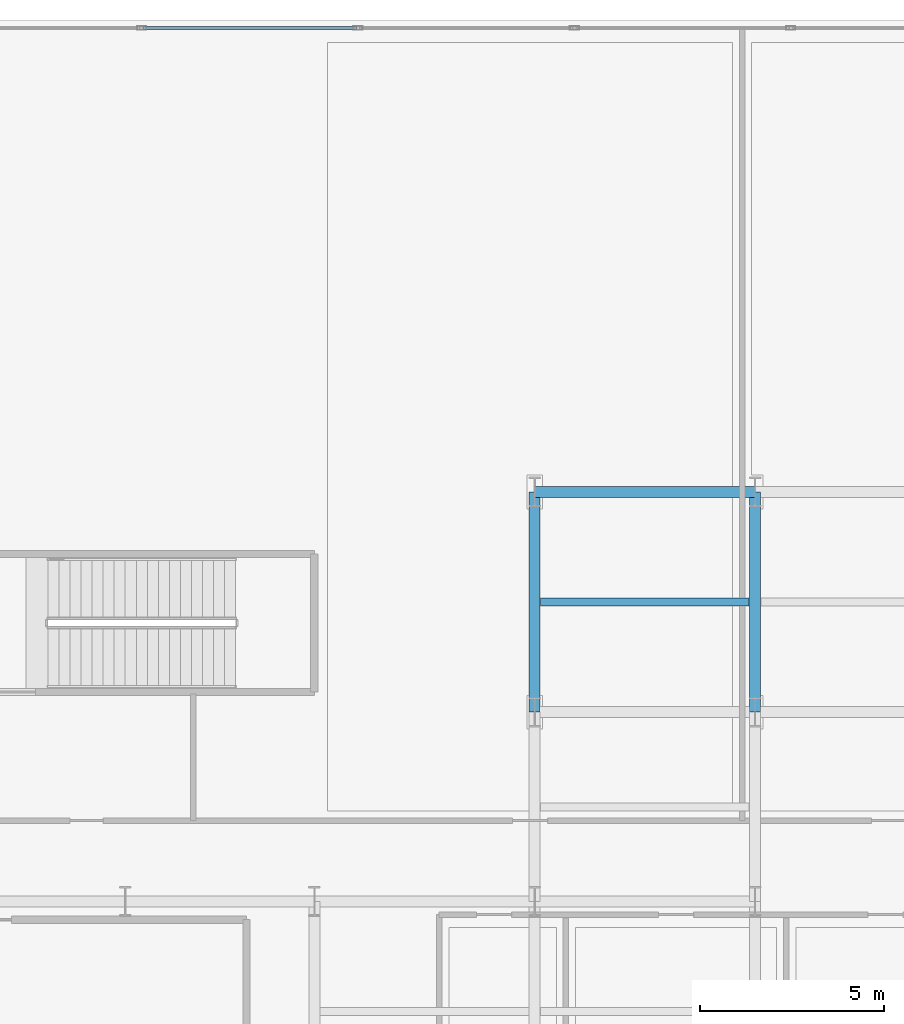
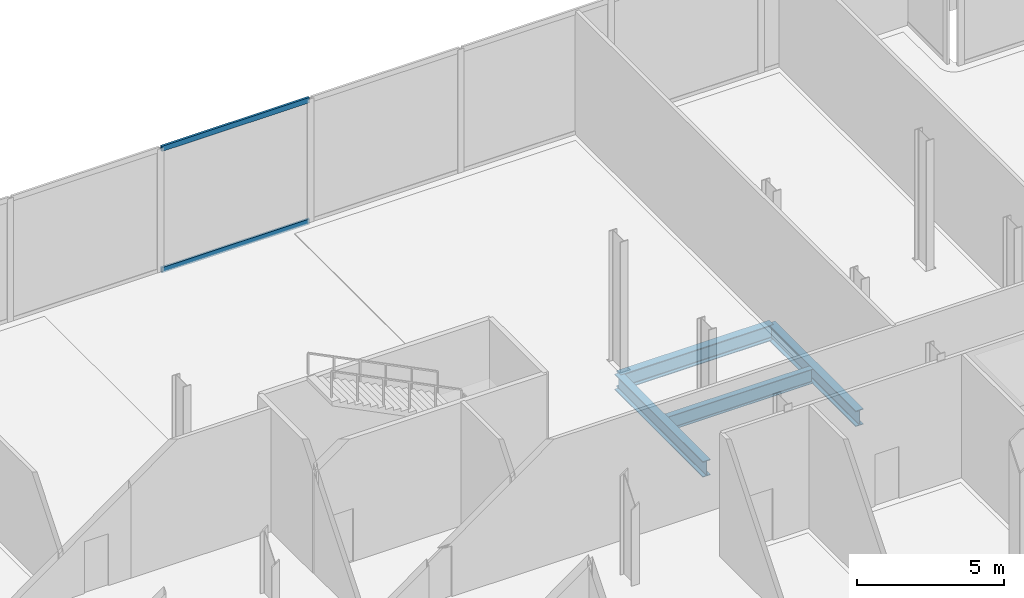
# One storey, part 16 of 27: 4 beams, 2 members, 1 element without a shape of its own.
"""IFC4 building model written with IfcOpenShell, lengths in metres."""

from ifc_helpers import new_model, si_unit, direction, frame, origin, origin_2d, place, context, subcontext, project, spatial, hollow_rectangle, i_section, extrude, material, layer, layer_set, material_profile, profile_set, type_object, element, aggregate, save


model = new_model("IFC4")

# Units and contexts
model_context = context("Model", 3, precision=1e-05, world=origin(), true_north=direction((0.0, 1.0)))
body_context = subcontext(model_context, "Body", "Model", "MODEL_VIEW")
ifc_project = project(units=[si_unit("LENGTHUNIT", "METRE"), si_unit("AREAUNIT", "SQUARE_METRE"), si_unit("VOLUMEUNIT", "CUBIC_METRE"), si_unit("PLANEANGLEUNIT", "RADIAN"), si_unit("MASSUNIT", "GRAM", prefix="KILO"), si_unit("THERMODYNAMICTEMPERATUREUNIT", "KELVIN"), si_unit("POWERUNIT", "WATT")], contexts=[model_context])

# Site, building, storey
site_placement = place(None, origin())
site = spatial("IfcSite", under=ifc_project, at=site_placement, CompositionType="ELEMENT")
building_placement = place(site_placement, origin())
building = spatial("IfcBuilding", under=site, at=building_placement, Name="Svarakhadi Broadcast Tower", CompositionType="ELEMENT")
storey_placement = place(building_placement, frame((0.0, 0.0, 16.5)))
storey = spatial("IfcBuildingStorey", under=building, at=storey_placement, Name="L03", CompositionType="ELEMENT", Elevation=16.5)

# Beam
ifc_material_1 = material(Name="Steel S355J2 (IS 2062 E350C)", Category="steel")
ifc_material_profile_1 = material_profile(ifc_material_1, i_section(OverallWidth=0.219970703125, OverallDepth=0.60009765625, WebThickness=0.011962890625, FlangeThickness=0.01904296875, FilletRadius=0.02392578125, at=origin_2d()), Name="NPB 600x220x122")
ifc_profile_set_1 = profile_set([ifc_material_profile_1], Name="Steel S355J2 (IS 2062 E350C)")
beam_type_1 = type_object("IfcBeamType", Name="Beam_NPB600", PredefinedType="BEAM", material=ifc_profile_set_1)
beam_placement = place(storey_placement, frame((41.31005859375, 32.14990234375, -0.60009765625), z_axis=(1.0, 0.0, 0.0), x_axis=(0.0, 1.0, 0.0)))
element("IfcBeam", 1, at=beam_placement, inside=storey, type_object=beam_type_1, Name="L03 Secondary Composite Beam SB026", PredefinedType="BEAM", context=body_context, shape_type="SweptSolid", body=[
    extrude(i_section(OverallWidth=0.219970703125, OverallDepth=0.60009765625, WebThickness=0.011962890625, FlangeThickness=0.01904296875, FilletRadius=0.02392578125, at=origin_2d()), origin(), (0.0, 0.0, 1.0), 5.679931640625),
])

# Curtain wall, members
ifc_material_2 = material(Name="Anodised Bronze Aluminium AA 6063-T6", Category="aluminium")
ifc_layer = layer(ifc_material_2, 0.25)
ifc_layer_set = layer_set([ifc_layer], Name="Anodised Bronze Aluminium AA 6063-T6")
curtain_wall_type = type_object("IfcCurtainWallType", Name="CW_Sys_01", PredefinedType="NOTDEFINED", material=ifc_layer_set)
curtain_wall_placement = place(storey_placement, origin())
curtain_wall = element("IfcCurtainWall", 2, at=curtain_wall_placement, inside=storey, type_object=curtain_wall_type, Name="L03 Unitised Facade Curtain Wall 05 Bay 2", PredefinedType="NOTDEFINED")
ifc_material_profile_2 = material_profile(ifc_material_2, hollow_rectangle(XDim=0.0849609375, YDim=0.219970703125, WallThickness=0.0048828125, at=origin_2d()), Name="ALU TRANSOM 220x85x5")
ifc_profile_set_2 = profile_set([ifc_material_profile_2], Name="Anodised Bronze Aluminium AA 6063-T6")
member_type = type_object("IfcMemberType", Name="CW_Sys_01_Trn", PredefinedType="USERDEFINED", material=ifc_profile_set_2)
member_1_placement = place(storey_placement, frame((30.4951171875, 47.780029296875, 0.04248046875), z_axis=(1.0, 0.0, 0.0), x_axis=(0.0, 1.0, 0.0)))
member_1 = element("IfcMember", 3, at=member_1_placement, type_object=member_type, Name="CW-01 transom 4.1", ObjectType="TRANSOM", PredefinedType="USERDEFINED", context=body_context, shape_type="SweptSolid", body=[
    extrude(hollow_rectangle(XDim=0.0849609375, YDim=0.219970703125, WallThickness=0.0048828125, at=origin_2d()), origin(), (0.0, 0.0, 1.0), 5.79736328125),
])
member_2_placement = place(storey_placement, frame((30.4951171875, 47.780029296875, 5.08251953125), z_axis=(1.0, 0.0, 0.0), x_axis=(0.0, 1.0, 0.0)))
member_2 = element("IfcMember", 4, at=member_2_placement, type_object=member_type, Name="CW-01 transom 4.2", ObjectType="TRANSOM", PredefinedType="USERDEFINED", context=body_context, shape_type="SweptSolid", body=[
    extrude(hollow_rectangle(XDim=0.0849609375, YDim=0.219970703125, WallThickness=0.0048828125, at=origin_2d()), origin(), (0.0, 0.0, 1.0), 5.79736328125),
])
aggregate(curtain_wall, [member_1, member_2])

# Beams
ifc_material_profile_3 = material_profile(ifc_material_1, i_section(OverallWidth=0.300048828125, OverallDepth=0.64990234375, WebThickness=0.01611328125, FlangeThickness=0.031005859375, FilletRadius=0.027099609375, at=origin_2d()), Name="WPB 650x300x225")
ifc_profile_set_3 = profile_set([ifc_material_profile_3], Name="Steel S355J2 (IS 2062 E350C)")
beam_type_2 = type_object("IfcBeamType", Name="Girder_WPB650", PredefinedType="USERDEFINED", material=ifc_profile_set_3)
for number, where, z_axis, x_axis, name in (
    (5, (41.14990234375, 35.14990234375, -0.625), (1.0, 0.0, 0.0), (0.0, 1.0, 0.0), "L03 Primary E-W Girder G038"),
    (6, (41.14990234375, 29.14990234375, -0.625), (0.0, 1.0, 0.0), (-1.0, 0.0, 0.0), "L03 Primary N-S Girder G078"),
    (7, (47.14990234375, 29.14990234375, -0.625), (0.0, 1.0, 0.0), (-1.0, 0.0, 0.0), "L03 Primary N-S Girder G083"),
):
    element("IfcBeam", number, at=place(storey_placement, frame(where, z_axis=z_axis, x_axis=x_axis)), inside=storey, type_object=beam_type_2, Name=name, ObjectType="GIRDER", PredefinedType="USERDEFINED", context=body_context, shape_type="SweptSolid", body=[
        extrude(i_section(OverallWidth=0.300048828125, OverallDepth=0.64990234375, WebThickness=0.01611328125, FlangeThickness=0.031005859375, FilletRadius=0.027099609375, at=origin_2d()), origin(), (0.0, 0.0, 1.0), 6.0),
    ])

save(model, "model.ifc")
